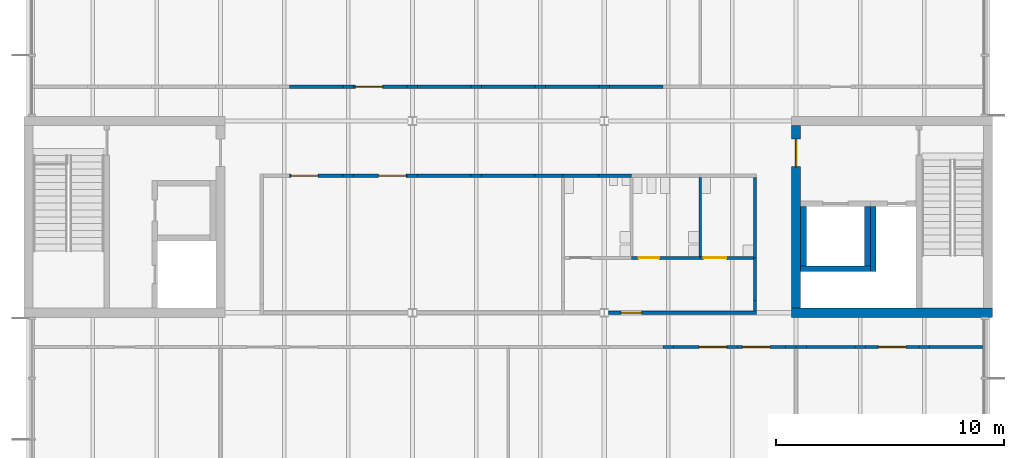
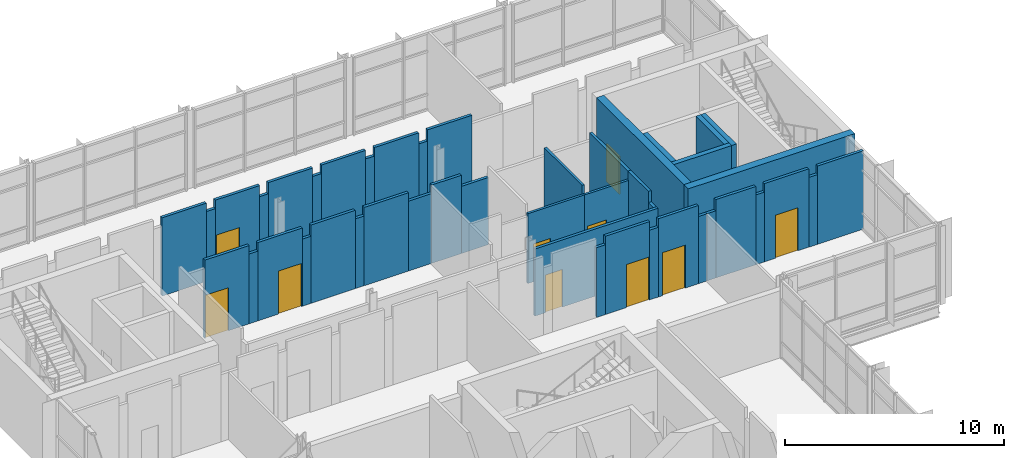
# One storey, part 48 of 72: 45 walls, 10 doors, 10 openings.
"""IFC4 building model written with IfcOpenShell, lengths in metres."""

import ifcopenshell
import ifcopenshell.guid

model = None  # the IFC model being written
_history = None  # IfcOwnerHistory: only IFC2X3 demands one
_inside = {}  # id of a spatial element -> (the spatial element, [elements in it])
_under = {}  # id of a project, library or spatial element -> (it, [spatial elements below it])
_declared = {}  # id of a project -> (the project, [libraries it declares])
_typed = {}  # id of a type object -> (the type object, [elements of that type])
_made_of = {}  # id of a material, layer set ... -> (it, [elements and type objects made of it])


def new_model(schema):
    """Start an empty IFC model of exactly this schema.

    Asked for "IFC4X3", IfcOpenShell would pick the latest addendum, in which some entities
    have other attributes; the version numbers below select the first issue.
    IFC2X3 requires an IfcOwnerHistory on every rooted entity: one is made here for all.
    """
    global model, _history
    if schema == "IFC4X3":
        model = ifcopenshell.file(schema_version=(4, 3, 0, 0))
    else:
        model = ifcopenshell.file(schema=schema)
    _inside.clear()
    _under.clear()
    _declared.clear()
    _typed.clear()
    _made_of.clear()
    _history = None
    if model.schema == "IFC2X3":
        org = make("IfcOrganization", Name="unknown")
        user = make(
            "IfcPersonAndOrganization",
            ThePerson=make("IfcPerson", FamilyName="unknown"),
            TheOrganization=org,
        )
        app = make(
            "IfcApplication",
            ApplicationDeveloper=org,
            Version="unknown",
            ApplicationFullName="unknown",
            ApplicationIdentifier="unknown",
        )
        _history = make(
            "IfcOwnerHistory",
            OwningUser=user,
            OwningApplication=app,
            ChangeAction="ADDED",
            CreationDate=0,
        )
    return model


def make(cls, **values):
    """One entity of the class cls with the attributes given. An attribute that is None is left unset."""
    return model.create_entity(
        cls, **{name: value for name, value in values.items() if value is not None}
    )


def rooted(cls, **values):
    """An entity with a GlobalId (a new one), such as an element, a storey or a relation."""
    return make(cls, GlobalId=ifcopenshell.guid.new(), OwnerHistory=_history, **values)


def si_unit(unit_type, name, prefix=None):
    """IfcSIUnit, for example si_unit("LENGTHUNIT", "METRE", prefix="MILLI")."""
    return make("IfcSIUnit", UnitType=unit_type, Prefix=prefix, Name=name)


def assignment(units):
    """IfcUnitAssignment: the units of a project."""
    return None if units is None else make("IfcUnitAssignment", Units=units)


def point(xyz):
    """IfcCartesianPoint."""
    return None if xyz is None else make("IfcCartesianPoint", Coordinates=xyz)


def direction(xyz):
    """IfcDirection."""
    return None if xyz is None else make("IfcDirection", DirectionRatios=xyz)


def frame(location, z_axis=None, x_axis=None):
    """IfcAxis2Placement3D, a coordinate frame: its origin and axes. An axis left out is left unset."""
    return make(
        "IfcAxis2Placement3D",
        Location=point(location),
        Axis=direction(z_axis),
        RefDirection=direction(x_axis),
    )


def frame_2d(location, x_axis=None):
    """IfcAxis2Placement2D, a coordinate frame in the plane: its origin and x axis."""
    return make(
        "IfcAxis2Placement2D", Location=point(location), RefDirection=direction(x_axis)
    )


def origin():
    """The frame at (0, 0, 0) with its axes left unset."""
    return frame((0.0, 0.0, 0.0))


def place(relative_to, where):
    """IfcLocalPlacement: puts the frame where relative to a parent placement (None: the world)."""
    return make(
        "IfcLocalPlacement", PlacementRelTo=relative_to, RelativePlacement=where
    )


def context(
    kind, dimensions, precision=None, world=None, true_north=None, identifier=None
):
    """IfcGeometricRepresentationContext, for example the 3D "Model" context."""
    return make(
        "IfcGeometricRepresentationContext",
        ContextIdentifier=identifier,
        ContextType=kind,
        CoordinateSpaceDimension=dimensions,
        Precision=precision,
        WorldCoordinateSystem=world,
        TrueNorth=true_north,
    )


def subcontext(parent, identifier, kind, view, scale=None):
    """IfcGeometricRepresentationSubContext, for example "Body" below "Model"."""
    return make(
        "IfcGeometricRepresentationSubContext",
        ContextIdentifier=identifier,
        ContextType=kind,
        ParentContext=parent,
        TargetScale=scale,
        TargetView=view,
    )


def project(units=None, contexts=None):
    """IfcProject with its units and contexts."""
    return rooted(
        "IfcProject",
        Name="project",
        RepresentationContexts=contexts,
        UnitsInContext=assignment(units),
    )


def spatial(cls, under=None, at=None, **own):
    """A site, building, storey or space (cls), placed at a placement, below another one or the project."""
    s = rooted(cls, ObjectPlacement=at, **own)
    if under is not None:
        _under.setdefault(under.id(), (under, []))[1].append(s)
    return s


def profile(cls, at=None, kind="AREA", **sizes):
    """A parametric profile (cls). Its sizes go by their IFC names, for example OverallWidth=200.0."""
    return make(cls, ProfileType=kind, Position=at, **sizes)


def rectangle(**sizes):
    """IfcRectangleProfileDef."""
    return profile("IfcRectangleProfileDef", **sizes)


def extrude(swept, where, along, depth):
    """IfcExtrudedAreaSolid: the profile swept, set in the frame where, extruded along a direction by depth."""
    return make(
        "IfcExtrudedAreaSolid",
        SweptArea=swept,
        Position=where,
        ExtrudedDirection=direction(along),
        Depth=depth,
    )


def shape(context_of_items, identifier, shape_type, items):
    """IfcShapeRepresentation: the items that make up one representation, for example the "Body"."""
    return make(
        "IfcShapeRepresentation",
        ContextOfItems=context_of_items,
        RepresentationIdentifier=identifier,
        RepresentationType=shape_type,
        Items=items,
    )


def material(Name=None, Category=None):
    """IfcMaterial."""
    return make("IfcMaterial", Name=Name, Category=Category)


def layer(
    of_material, thickness, ventilated=None, Name=None, Category=None, Priority=None
):
    """IfcMaterialLayer: one layer of a wall or slab, of a material (None: an air gap)."""
    return make(
        "IfcMaterialLayer",
        Material=of_material,
        LayerThickness=thickness,
        IsVentilated=ventilated,
        Name=Name,
        Category=Category,
        Priority=Priority,
    )


def layer_set(layers, Name=None):
    """IfcMaterialLayerSet."""
    return make("IfcMaterialLayerSet", MaterialLayers=layers, LayerSetName=Name)


def made_of(thing, what):
    """Note that an element or type object is made of a material, layer set ...; save() writes the relation."""
    if what is not None:
        _made_of.setdefault(what.id(), (what, []))[1].append(thing)
    return thing


def type_object(cls, material=None, **own):
    """A type object (cls), such as IfcWallType, which elements share."""
    return made_of(rooted(cls, **own), material)


def element(
    cls,
    number,
    at=None,
    inside=None,
    cuts=None,
    type_object=None,
    material=None,
    context=None,
    identifier="Body",
    shape_type=None,
    held_by="IfcProductDefinitionShape",
    body=None,
    shapes=None,
    **own,
):
    """One element of the class cls, such as IfcWall. Its Tag is "e" and its number.

    at: its placement. inside: the storey or other place that contains it. cuts: it is an
    opening in that element (IfcRelVoidsElement). A single representation is given by context,
    identifier, shape_type and body (its items); several are given by shapes. held_by: the class
    of the entity that holds the representations. save() writes the other relations.
    """
    e = rooted(cls, Tag="e%d" % number, ObjectPlacement=at, **own)
    if body is not None:
        shapes = [shape(context, identifier, shape_type, body)]
    if shapes is not None:
        e.Representation = make(held_by, Representations=shapes)
    if inside is not None:
        _inside.setdefault(inside.id(), (inside, []))[1].append(e)
    if cuts is not None:
        rooted(
            "IfcRelVoidsElement", RelatingBuildingElement=cuts, RelatedOpeningElement=e
        )
    if type_object is not None:
        _typed.setdefault(type_object.id(), (type_object, []))[1].append(e)
    return made_of(e, material)


def fill(opening, filler):
    """IfcRelFillsElement: the door or window that sits in an opening."""
    return rooted(
        "IfcRelFillsElement",
        RelatingOpeningElement=opening,
        RelatedBuildingElement=filler,
    )


def aggregate(whole, parts):
    """IfcRelAggregates: a whole, such as a stair, and the parts it consists of."""
    return rooted("IfcRelAggregates", RelatingObject=whole, RelatedObjects=parts)


def save(model, path):
    """Write the relations noted so far, then the file.

    IfcRelAggregates (storeys below a building ...), IfcRelContainedInSpatialStructure (elements
    in a storey), IfcRelDefinesByType, IfcRelAssociatesMaterial and IfcRelDeclares: one each for
    every whole, place, type object, material and project.
    """
    for whole, parts in _under.values():
        aggregate(whole, parts)
    for where, things in _inside.values():
        rooted(
            "IfcRelContainedInSpatialStructure",
            RelatedElements=things,
            RelatingStructure=where,
        )
    for kind, things in _typed.values():
        rooted("IfcRelDefinesByType", RelatedObjects=things, RelatingType=kind)
    for what, things in _made_of.values():
        rooted("IfcRelAssociatesMaterial", RelatedObjects=things, RelatingMaterial=what)
    for by, libraries in _declared.values():
        rooted("IfcRelDeclares", RelatingContext=by, RelatedDefinitions=libraries)
    model.write(path)


model = new_model("IFC4")

# Units and contexts
model_context = context("Model", 3, precision=1e-05, world=origin(), true_north=direction((0.0, 1.0)))
body_context = subcontext(model_context, "Body", "Model", "MODEL_VIEW")
ifc_project = project(units=[si_unit("LENGTHUNIT", "METRE"), si_unit("AREAUNIT", "SQUARE_METRE"), si_unit("VOLUMEUNIT", "CUBIC_METRE"), si_unit("PLANEANGLEUNIT", "RADIAN"), si_unit("MASSUNIT", "GRAM", prefix="KILO")], contexts=[model_context])

# Site, building, storey
site_placement = place(None, origin())
site = spatial("IfcSite", under=ifc_project, at=site_placement, CompositionType="ELEMENT")
building_placement = place(site_placement, origin())
building = spatial("IfcBuilding", under=site, at=building_placement, Name="Hlaing Beacon Police Headquarters", CompositionType="ELEMENT")
storey_placement = place(building_placement, frame((0.0, 0.0, 14.39990234375)))
storey = spatial("IfcBuildingStorey", under=building, at=storey_placement, Name="L03", CompositionType="ELEMENT", Elevation=14.39990234375)

# Wall
ifc_material_1 = material(Name="Concrete C60/75", Category="concrete")
ifc_layer_1 = layer(ifc_material_1, 0.39990234375)
ifc_layer_set_1 = layer_set([ifc_layer_1], Name="Concrete C60/75")
wall_type_1 = type_object("IfcWallType", Name="Core shear wall 400", PredefinedType="SHEAR", material=ifc_layer_set_1)
wall_1_placement = place(storey_placement, frame((125.800048828125, 75.60009765625, 0.0), z_axis=(0.0, 0.0, 1.0), x_axis=(1.0, 0.0, 0.0)))
element("IfcWall", 1, at=wall_1_placement, inside=storey, type_object=wall_type_1, Name="Core shear wall", PredefinedType="SHEAR", context=body_context, shape_type="SweptSolid", body=[
    extrude(rectangle(XDim=8.800048828125, YDim=0.39990234375, at=frame_2d((4.39990234375, 0.0))), origin(), (0.0, 0.0, 1.0), 4.3701171875),
])

# Wall, opening, door
wall_2_placement = place(storey_placement, frame((126.0, 75.800048828125, 0.0), z_axis=(0.0, 0.0, 1.0), x_axis=(0.0, 1.0, 0.0)))
wall_2 = element("IfcWall", 2, at=wall_2_placement, inside=storey, type_object=wall_type_1, Name="Core shear wall", PredefinedType="SHEAR", context=body_context, shape_type="SweptSolid", body=[
    extrude(rectangle(XDim=8.0, YDim=0.39990234375, at=frame_2d((4.0, 0.0))), origin(), (0.0, 0.0, 1.0), 4.3701171875),
])
opening_1_placement = place(wall_2_placement, frame((6.199951171875, 0.0, 0.0)))
opening_1 = element("IfcOpeningElement", 3, at=opening_1_placement, cuts=wall_2, Name="Opening L03-942", PredefinedType="OPENING", context=body_context, shape_type="SweptSolid", body=[
    extrude(rectangle(XDim=1.199951171875, YDim=2.10009765625, at=frame_2d((0.60009765625, 1.050048828125))), frame((0.0, 0.2099609375, 0.0), z_axis=(0.0, -1.0, 0.0), x_axis=(1.0, 0.0, 0.0)), (0.0, 0.0, 1.0), 0.419921875),
])
ifc_material_2 = material(Name="Steel fire door leaf", Category="steel")
ifc_layer_2 = layer(ifc_material_2, 0.070068359375)
ifc_layer_set_2 = layer_set([ifc_layer_2], Name="Steel fire door leaf")
door_type_1 = type_object("IfcDoorType", Name="Steel fire door FD60S 1200x2100", OperationType="SINGLE_SWING_LEFT", PredefinedType="DOOR", material=ifc_layer_set_2)
door_1_placement = place(opening_1_placement, frame((1.199951171875, 0.0, 0.0), z_axis=(0.0, 0.0, 1.0), x_axis=(-1.0, 0.0, 0.0)))
door_1 = element("IfcDoor", 4, at=door_1_placement, inside=storey, type_object=door_type_1, Name="Door Firefighting Lobby Entry", OperationType="SINGLE_SWING_LEFT", OverallHeight=2.10009765625, OverallWidth=1.199951171875, PredefinedType="DOOR", context=body_context, shape_type="SweptSolid", body=[
    extrude(rectangle(XDim=1.199951171875, YDim=2.10009765625, at=frame_2d((0.599853515625, 1.050048828125))), frame((0.0, 0.034912109375, 0.0), z_axis=(0.0, -1.0, 0.0), x_axis=(1.0, 0.0, 0.0)), (0.0, 0.0, 1.0), 0.070068359375),
])
fill(opening_1, door_1)

ifc_material_3 = material(Name="Gypsum board partition")
ifc_layer_3 = layer(ifc_material_3, 0.14990234375)
ifc_layer_set_3 = layer_set([ifc_layer_3], Name="Gypsum board partition")
wall_type_2 = type_object("IfcWallType", Name="Corridor wall EI 30 150", PredefinedType="PARTITIONING", material=ifc_layer_set_3)
wall_3_placement = place(storey_placement, frame((103.830078125, 81.60009765625, 0.0), z_axis=(0.0, 0.0, 1.0), x_axis=(1.0, 0.0, 0.0)))
wall_3 = element("IfcWall", 5, at=wall_3_placement, inside=storey, type_object=wall_type_2, Name="Corridor wall EI 30 150", PredefinedType="PARTITIONING", context=body_context, shape_type="SweptSolid", body=[
    extrude(rectangle(XDim=2.33984375, YDim=0.14990234375, at=frame_2d((1.169921875, 0.0))), origin(), (0.0, 0.0, 1.0), 4.3701171875),
])
opening_2_placement = place(wall_3_placement, frame((0.044921875, 0.0, 0.0)))
opening_2 = element("IfcOpeningElement", 6, at=opening_2_placement, cuts=wall_3, Name="Opening L03-032", PredefinedType="OPENING", context=body_context, shape_type="SweptSolid", body=[
    extrude(rectangle(XDim=1.199951171875, YDim=2.39990234375, at=frame_2d((0.60009765625, 1.199951171875))), frame((0.0, 0.0849609375, 0.0), z_axis=(0.0, -1.0, 0.0), x_axis=(1.0, 0.0, 0.0)), (0.0, 0.0, 1.0), 0.169921875),
])
ifc_material_4 = material(Name="Hardwood door leaf", Category="wood")
ifc_layer_4 = layer(ifc_material_4, 0.050048828125)
ifc_layer_set_4 = layer_set([ifc_layer_4], Name="Hardwood door leaf")
door_type_2 = type_object("IfcDoorType", Name="Fire public door FD30S 1200x2400", OperationType="SINGLE_SWING_LEFT", PredefinedType="DOOR", material=ifc_layer_set_4)
door_2_placement = place(opening_2_placement, origin())
door_2 = element("IfcDoor", 7, at=door_2_placement, inside=storey, type_object=door_type_2, Name="Door Training Simulation Suite 2", OperationType="SINGLE_SWING_RIGHT", OverallHeight=2.39990234375, OverallWidth=1.199951171875, PredefinedType="DOOR", context=body_context, shape_type="SweptSolid", body=[
    extrude(rectangle(XDim=1.199951171875, YDim=2.39990234375, at=frame_2d((0.60009765625, 1.199951171875))), frame((0.0, 0.02490234375, 0.0), z_axis=(0.0, -1.0, 0.0), x_axis=(1.0, 0.0, 0.0)), (0.0, 0.0, 1.0), 0.050048828125),
])
fill(opening_2, door_2)

# Wall
wall_4_placement = place(storey_placement, frame((106.169921875, 81.60009765625, 0.0), z_axis=(0.0, 0.0, 1.0), x_axis=(1.0, 0.0, 0.0)))
element("IfcWall", 8, at=wall_4_placement, inside=storey, type_object=wall_type_2, Name="Corridor wall EI 30 150", PredefinedType="PARTITIONING", context=body_context, shape_type="SweptSolid", body=[
    extrude(rectangle(XDim=0.4599609375, YDim=0.14990234375, at=frame_2d((0.22998046875, 0.0))), origin(), (0.0, 0.0, 1.0), 3.89501953125),
])

# Wall, opening, door
wall_5_placement = place(storey_placement, frame((106.6298828125, 81.60009765625, 0.0), z_axis=(0.0, 0.0, 1.0), x_axis=(1.0, 0.0, 0.0)))
wall_5 = element("IfcWall", 9, at=wall_5_placement, inside=storey, type_object=wall_type_2, Name="Corridor wall EI 30 150", PredefinedType="PARTITIONING", context=body_context, shape_type="SweptSolid", body=[
    extrude(rectangle(XDim=2.340087890625, YDim=0.14990234375, at=frame_2d((1.169921875, 0.0))), origin(), (0.0, 0.0, 1.0), 4.3701171875),
])
opening_3_placement = place(wall_5_placement, frame((1.094970703125, 0.0, 0.0)))
opening_3 = element("IfcOpeningElement", 10, at=opening_3_placement, cuts=wall_5, Name="Opening L03-033", PredefinedType="OPENING", context=body_context, shape_type="SweptSolid", body=[
    extrude(rectangle(XDim=1.199951171875, YDim=2.39990234375, at=frame_2d((0.60009765625, 1.199951171875))), frame((0.0, 0.0849609375, 0.0), z_axis=(0.0, -1.0, 0.0), x_axis=(1.0, 0.0, 0.0)), (0.0, 0.0, 1.0), 0.169921875),
])
door_3_placement = place(opening_3_placement, origin())
door_3 = element("IfcDoor", 11, at=door_3_placement, inside=storey, type_object=door_type_2, Name="Door Training Simulation Suite 2", OperationType="SINGLE_SWING_LEFT", OverallHeight=2.39990234375, OverallWidth=1.199951171875, PredefinedType="DOOR", context=body_context, shape_type="SweptSolid", body=[
    extrude(rectangle(XDim=1.199951171875, YDim=2.39990234375, at=frame_2d((0.60009765625, 1.199951171875))), frame((0.0, 0.02490234375, 0.0), z_axis=(0.0, -1.0, 0.0), x_axis=(1.0, 0.0, 0.0)), (0.0, 0.0, 1.0), 0.050048828125),
])
fill(opening_3, door_3)

# Walls
wall_6_placement = place(storey_placement, frame((108.969970703125, 81.60009765625, 0.0), z_axis=(0.0, 0.0, 1.0), x_axis=(1.0, 0.0, 0.0)))
element("IfcWall", 12, at=wall_6_placement, inside=storey, type_object=wall_type_2, Name="Corridor wall EI 30 150", PredefinedType="PARTITIONING", context=body_context, shape_type="SweptSolid", body=[
    extrude(rectangle(XDim=0.4599609375, YDim=0.14990234375, at=frame_2d((0.22998046875, 0.0))), origin(), (0.0, 0.0, 1.0), 3.74609375),
])
wall_7_placement = place(storey_placement, frame((109.429931640625, 81.60009765625, 0.0), z_axis=(0.0, 0.0, 1.0), x_axis=(1.0, 0.0, 0.0)))
element("IfcWall", 13, at=wall_7_placement, inside=storey, type_object=wall_type_2, Name="Corridor wall EI 30 150", PredefinedType="PARTITIONING", context=body_context, shape_type="SweptSolid", body=[
    extrude(rectangle(XDim=2.340087890625, YDim=0.14990234375, at=frame_2d((1.169921875, 0.0))), origin(), (0.0, 0.0, 1.0), 4.3701171875),
])
wall_8_placement = place(storey_placement, frame((111.77001953125, 81.60009765625, 0.0), z_axis=(0.0, 0.0, 1.0), x_axis=(1.0, 0.0, 0.0)))
element("IfcWall", 14, at=wall_8_placement, inside=storey, type_object=wall_type_2, Name="Corridor wall EI 30 150", PredefinedType="PARTITIONING", context=body_context, shape_type="SweptSolid", body=[
    extrude(rectangle(XDim=0.4599609375, YDim=0.14990234375, at=frame_2d((0.22998046875, 0.0))), origin(), (0.0, 0.0, 1.0), 3.89501953125),
])
wall_9_placement = place(storey_placement, frame((112.22998046875, 81.60009765625, 0.0), z_axis=(0.0, 0.0, 1.0), x_axis=(1.0, 0.0, 0.0)))
element("IfcWall", 15, at=wall_9_placement, inside=storey, type_object=wall_type_2, Name="Corridor wall EI 30 150", PredefinedType="PARTITIONING", context=body_context, shape_type="SweptSolid", body=[
    extrude(rectangle(XDim=2.340087890625, YDim=0.14990234375, at=frame_2d((1.169921875, 0.0))), origin(), (0.0, 0.0, 1.0), 4.3701171875),
])
wall_10_placement = place(storey_placement, frame((114.570068359375, 81.60009765625, 0.0), z_axis=(0.0, 0.0, 1.0), x_axis=(1.0, 0.0, 0.0)))
element("IfcWall", 16, at=wall_10_placement, inside=storey, type_object=wall_type_2, Name="Corridor wall EI 30 150", PredefinedType="PARTITIONING", context=body_context, shape_type="SweptSolid", body=[
    extrude(rectangle(XDim=1.22998046875, YDim=0.14990234375, at=frame_2d((0.614990234375, 0.0))), origin(), (0.0, 0.0, 1.0), 3.89501953125),
])
wall_11_placement = place(storey_placement, frame((124.199951171875, 78.0, 0.0), z_axis=(0.0, 0.0, 1.0), x_axis=(0.0, 1.0, 0.0)))
element("IfcWall", 17, at=wall_11_placement, inside=storey, type_object=wall_type_2, Name="Corridor wall EI 30 150", PredefinedType="PARTITIONING", context=body_context, shape_type="SweptSolid", body=[
    extrude(rectangle(XDim=3.52490234375, YDim=0.14990234375, at=frame_2d((1.762451171875, 0.0))), origin(), (0.0, 0.0, 1.0), 4.3701171875),
])

# Wall, opening, door
wall_12_placement = place(storey_placement, frame((117.784912109375, 75.60009765625, 0.0), z_axis=(0.0, 0.0, 1.0), x_axis=(1.0, 0.0, 0.0)))
wall_12 = element("IfcWall", 18, at=wall_12_placement, inside=storey, type_object=wall_type_2, Name="Corridor wall EI 30 150", PredefinedType="PARTITIONING", context=body_context, shape_type="SweptSolid", body=[
    extrude(rectangle(XDim=6.489990234375, YDim=0.14990234375, at=frame_2d((3.2451171875, 0.0))), origin(), (0.0, 0.0, 1.0), 3.74609375),
])
opening_4_placement = place(wall_12_placement, frame((0.550048828125, 0.0, 0.0)))
opening_4 = element("IfcOpeningElement", 19, at=opening_4_placement, cuts=wall_12, Name="Opening L03-036", PredefinedType="OPENING", context=body_context, shape_type="SweptSolid", body=[
    extrude(rectangle(XDim=0.89990234375, YDim=2.10009765625, at=frame_2d((0.449951171875, 1.050048828125))), frame((0.0, 0.0849609375, 0.0), z_axis=(0.0, -1.0, 0.0), x_axis=(1.0, 0.0, 0.0)), (0.0, 0.0, 1.0), 0.169921875),
])
ifc_material_5 = material(Name="Hardwood door leaf", Category="wood")
ifc_layer_5 = layer(ifc_material_5, 0.050048828125)
ifc_layer_set_5 = layer_set([ifc_layer_5], Name="Hardwood door leaf")
door_type_3 = type_object("IfcDoorType", Name="Fire door FD30S 900x2100", OperationType="SINGLE_SWING_LEFT", PredefinedType="DOOR", material=ifc_layer_set_5)
door_4_placement = place(opening_4_placement, origin())
door_4 = element("IfcDoor", 20, at=door_4_placement, inside=storey, type_object=door_type_3, Name="Door WC Lobby", OperationType="SINGLE_SWING_RIGHT", OverallHeight=2.10009765625, OverallWidth=0.89990234375, PredefinedType="DOOR", context=body_context, shape_type="SweptSolid", body=[
    extrude(rectangle(XDim=0.89990234375, YDim=2.10009765625, at=frame_2d((0.449951171875, 1.050048828125))), frame((0.0, 0.02490234375, 0.0), z_axis=(0.0, -1.0, 0.0), x_axis=(1.0, 0.0, 0.0)), (0.0, 0.0, 1.0), 0.050048828125),
])
fill(opening_4, door_4)

# Walls
wall_13_placement = place(storey_placement, frame((124.199951171875, 75.675048828125, 0.0), z_axis=(0.0, 0.0, 1.0), x_axis=(0.0, 1.0, 0.0)))
element("IfcWall", 21, at=wall_13_placement, inside=storey, type_object=wall_type_2, Name="Corridor wall EI 30 150", PredefinedType="PARTITIONING", context=body_context, shape_type="SweptSolid", body=[
    extrude(rectangle(XDim=0.4599609375, YDim=0.14990234375, at=frame_2d((0.22998046875, 0.0))), origin(), (0.0, 0.0, 1.0), 3.74609375),
])
wall_14_placement = place(storey_placement, frame((124.199951171875, 76.135009765625, 0.0), z_axis=(0.0, 0.0, 1.0), x_axis=(0.0, 1.0, 0.0)))
element("IfcWall", 22, at=wall_14_placement, inside=storey, type_object=wall_type_2, Name="Corridor wall EI 30 150", PredefinedType="PARTITIONING", context=body_context, shape_type="SweptSolid", body=[
    extrude(rectangle(XDim=1.864990234375, YDim=0.14990234375, at=frame_2d((0.9326171875, 0.0))), origin(), (0.0, 0.0, 1.0), 4.3701171875),
])
wall_15_placement = place(storey_placement, frame((115.800048828125, 81.60009765625, 0.0), z_axis=(0.0, 0.0, 1.0), x_axis=(1.0, 0.0, 0.0)))
element("IfcWall", 23, at=wall_15_placement, inside=storey, type_object=wall_type_2, Name="Corridor wall EI 30 150", PredefinedType="PARTITIONING", context=body_context, shape_type="SweptSolid", body=[
    extrude(rectangle(XDim=1.570068359375, YDim=0.14990234375, at=frame_2d((0.78515625, 0.0))), origin(), (0.0, 0.0, 1.0), 4.3701171875),
])
wall_16_placement = place(storey_placement, frame((117.3701171875, 81.60009765625, 0.0), z_axis=(0.0, 0.0, 1.0), x_axis=(1.0, 0.0, 0.0)))
element("IfcWall", 24, at=wall_16_placement, inside=storey, type_object=wall_type_2, Name="Corridor wall EI 30 150", PredefinedType="PARTITIONING", context=body_context, shape_type="SweptSolid", body=[
    extrude(rectangle(XDim=1.429931640625, YDim=0.14990234375, at=frame_2d((0.71484375, 0.0))), origin(), (0.0, 0.0, 1.0), 3.74609375),
])
wall_17_placement = place(storey_placement, frame((103.830078125, 85.5, 0.0), z_axis=(0.0, 0.0, 1.0), x_axis=(1.0, 0.0, 0.0)))
element("IfcWall", 25, at=wall_17_placement, inside=storey, type_object=wall_type_2, Name="Corridor wall EI 30 150", PredefinedType="PARTITIONING", context=body_context, shape_type="SweptSolid", body=[
    extrude(rectangle(XDim=2.33984375, YDim=0.14990234375, at=frame_2d((1.169921875, 0.0))), origin(), (0.0, 0.0, 1.0), 4.3701171875),
])
wall_18_placement = place(storey_placement, frame((106.169921875, 85.5, 0.0), z_axis=(0.0, 0.0, 1.0), x_axis=(1.0, 0.0, 0.0)))
element("IfcWall", 26, at=wall_18_placement, inside=storey, type_object=wall_type_2, Name="Corridor wall EI 30 150", PredefinedType="PARTITIONING", context=body_context, shape_type="SweptSolid", body=[
    extrude(rectangle(XDim=0.4599609375, YDim=0.14990234375, at=frame_2d((0.22998046875, 0.0))), origin(), (0.0, 0.0, 1.0), 3.89501953125),
])

# Wall, opening, door
wall_19_placement = place(storey_placement, frame((106.6298828125, 85.5, 0.0), z_axis=(0.0, 0.0, 1.0), x_axis=(1.0, 0.0, 0.0)))
wall_19 = element("IfcWall", 27, at=wall_19_placement, inside=storey, type_object=wall_type_2, Name="Corridor wall EI 30 150", PredefinedType="PARTITIONING", context=body_context, shape_type="SweptSolid", body=[
    extrude(rectangle(XDim=2.340087890625, YDim=0.14990234375, at=frame_2d((1.169921875, 0.0))), origin(), (0.0, 0.0, 1.0), 4.3701171875),
])
opening_5_placement = place(wall_19_placement, frame((0.070068359375, 0.0, 0.0)))
opening_5 = element("IfcOpeningElement", 28, at=opening_5_placement, cuts=wall_19, Name="Opening L03-038", PredefinedType="OPENING", context=body_context, shape_type="SweptSolid", body=[
    extrude(rectangle(XDim=1.199951171875, YDim=2.39990234375, at=frame_2d((0.60009765625, 1.199951171875))), frame((0.0, 0.0849609375, 0.0), z_axis=(0.0, -1.0, 0.0), x_axis=(1.0, 0.0, 0.0)), (0.0, 0.0, 1.0), 0.169921875),
])
door_5_placement = place(opening_5_placement, origin())
door_5 = element("IfcDoor", 29, at=door_5_placement, inside=storey, type_object=door_type_2, Name="Door Library and Learning Centre", OperationType="SINGLE_SWING_LEFT", OverallHeight=2.39990234375, OverallWidth=1.199951171875, PredefinedType="DOOR", context=body_context, shape_type="SweptSolid", body=[
    extrude(rectangle(XDim=1.199951171875, YDim=2.39990234375, at=frame_2d((0.60009765625, 1.199951171875))), frame((0.0, 0.02490234375, 0.0), z_axis=(0.0, -1.0, 0.0), x_axis=(1.0, 0.0, 0.0)), (0.0, 0.0, 1.0), 0.050048828125),
])
fill(opening_5, door_5)

# Walls
wall_20_placement = place(storey_placement, frame((108.969970703125, 85.5, 0.0), z_axis=(0.0, 0.0, 1.0), x_axis=(1.0, 0.0, 0.0)))
element("IfcWall", 30, at=wall_20_placement, inside=storey, type_object=wall_type_2, Name="Corridor wall EI 30 150", PredefinedType="PARTITIONING", context=body_context, shape_type="SweptSolid", body=[
    extrude(rectangle(XDim=0.4599609375, YDim=0.14990234375, at=frame_2d((0.22998046875, 0.0))), origin(), (0.0, 0.0, 1.0), 3.74609375),
])
wall_21_placement = place(storey_placement, frame((109.429931640625, 85.5, 0.0), z_axis=(0.0, 0.0, 1.0), x_axis=(1.0, 0.0, 0.0)))
element("IfcWall", 31, at=wall_21_placement, inside=storey, type_object=wall_type_2, Name="Corridor wall EI 30 150", PredefinedType="PARTITIONING", context=body_context, shape_type="SweptSolid", body=[
    extrude(rectangle(XDim=2.340087890625, YDim=0.14990234375, at=frame_2d((1.169921875, 0.0))), origin(), (0.0, 0.0, 1.0), 4.3701171875),
])
wall_22_placement = place(storey_placement, frame((111.77001953125, 85.5, 0.0), z_axis=(0.0, 0.0, 1.0), x_axis=(1.0, 0.0, 0.0)))
element("IfcWall", 32, at=wall_22_placement, inside=storey, type_object=wall_type_2, Name="Corridor wall EI 30 150", PredefinedType="PARTITIONING", context=body_context, shape_type="SweptSolid", body=[
    extrude(rectangle(XDim=0.4599609375, YDim=0.14990234375, at=frame_2d((0.22998046875, 0.0))), origin(), (0.0, 0.0, 1.0), 3.89501953125),
])
wall_23_placement = place(storey_placement, frame((112.22998046875, 85.5, 0.0), z_axis=(0.0, 0.0, 1.0), x_axis=(1.0, 0.0, 0.0)))
element("IfcWall", 33, at=wall_23_placement, inside=storey, type_object=wall_type_2, Name="Corridor wall EI 30 150", PredefinedType="PARTITIONING", context=body_context, shape_type="SweptSolid", body=[
    extrude(rectangle(XDim=2.340087890625, YDim=0.14990234375, at=frame_2d((1.169921875, 0.0))), origin(), (0.0, 0.0, 1.0), 4.3701171875),
])
wall_24_placement = place(storey_placement, frame((114.570068359375, 85.5, 0.0), z_axis=(0.0, 0.0, 1.0), x_axis=(1.0, 0.0, 0.0)))
element("IfcWall", 34, at=wall_24_placement, inside=storey, type_object=wall_type_2, Name="Corridor wall EI 30 150", PredefinedType="PARTITIONING", context=body_context, shape_type="SweptSolid", body=[
    extrude(rectangle(XDim=0.4599609375, YDim=0.14990234375, at=frame_2d((0.22998046875, 0.0))), origin(), (0.0, 0.0, 1.0), 3.89501953125),
])
wall_25_placement = place(storey_placement, frame((115.030029296875, 85.5, 0.0), z_axis=(0.0, 0.0, 1.0), x_axis=(1.0, 0.0, 0.0)))
element("IfcWall", 35, at=wall_25_placement, inside=storey, type_object=wall_type_2, Name="Corridor wall EI 30 150", PredefinedType="PARTITIONING", context=body_context, shape_type="SweptSolid", body=[
    extrude(rectangle(XDim=2.340087890625, YDim=0.14990234375, at=frame_2d((1.169921875, 0.0))), origin(), (0.0, 0.0, 1.0), 4.3701171875),
])
wall_26_placement = place(storey_placement, frame((117.3701171875, 85.5, 0.0), z_axis=(0.0, 0.0, 1.0), x_axis=(1.0, 0.0, 0.0)))
element("IfcWall", 36, at=wall_26_placement, inside=storey, type_object=wall_type_2, Name="Corridor wall EI 30 150", PredefinedType="PARTITIONING", context=body_context, shape_type="SweptSolid", body=[
    extrude(rectangle(XDim=0.4599609375, YDim=0.14990234375, at=frame_2d((0.22998046875, 0.0))), origin(), (0.0, 0.0, 1.0), 3.74609375),
])
wall_27_placement = place(storey_placement, frame((117.830078125, 85.5, 0.0), z_axis=(0.0, 0.0, 1.0), x_axis=(1.0, 0.0, 0.0)))
element("IfcWall", 37, at=wall_27_placement, inside=storey, type_object=wall_type_2, Name="Corridor wall EI 30 150", PredefinedType="PARTITIONING", context=body_context, shape_type="SweptSolid", body=[
    extrude(rectangle(XDim=2.33984375, YDim=0.14990234375, at=frame_2d((1.169921875, 0.0))), origin(), (0.0, 0.0, 1.0), 4.3701171875),
])
wall_28_placement = place(storey_placement, frame((120.169921875, 74.10009765625, 0.0), z_axis=(0.0, 0.0, 1.0), x_axis=(1.0, 0.0, 0.0)))
element("IfcWall", 38, at=wall_28_placement, inside=storey, type_object=wall_type_2, Name="Corridor wall EI 30 150", PredefinedType="PARTITIONING", context=body_context, shape_type="SweptSolid", body=[
    extrude(rectangle(XDim=0.4599609375, YDim=0.14990234375, at=frame_2d((0.22998046875, 0.0))), origin(), (0.0, 0.0, 1.0), 3.89501953125),
])

# Wall, opening, door
wall_29_placement = place(storey_placement, frame((120.6298828125, 74.10009765625, 0.0), z_axis=(0.0, 0.0, 1.0), x_axis=(1.0, 0.0, 0.0)))
wall_29 = element("IfcWall", 39, at=wall_29_placement, inside=storey, type_object=wall_type_2, Name="Corridor wall EI 30 150", PredefinedType="PARTITIONING", context=body_context, shape_type="SweptSolid", body=[
    extrude(rectangle(XDim=2.340087890625, YDim=0.14990234375, at=frame_2d((1.169921875, 0.0))), origin(), (0.0, 0.0, 1.0), 4.3701171875),
])
opening_6_placement = place(wall_29_placement, frame((1.1201171875, 0.0, 0.0)))
opening_6 = element("IfcOpeningElement", 40, at=opening_6_placement, cuts=wall_29, Name="Opening L03-043", PredefinedType="OPENING", context=body_context, shape_type="SweptSolid", body=[
    extrude(rectangle(XDim=1.199951171875, YDim=2.39990234375, at=frame_2d((0.60009765625, 1.199951171875))), frame((0.0, 0.0849609375, 0.0), z_axis=(0.0, -1.0, 0.0), x_axis=(1.0, 0.0, 0.0)), (0.0, 0.0, 1.0), 0.169921875),
])
door_6_placement = place(opening_6_placement, origin())
door_6 = element("IfcDoor", 41, at=door_6_placement, inside=storey, type_object=door_type_2, Name="Door Scenario Training Room 2", OperationType="SINGLE_SWING_LEFT", OverallHeight=2.39990234375, OverallWidth=1.199951171875, PredefinedType="DOOR", context=body_context, shape_type="SweptSolid", body=[
    extrude(rectangle(XDim=1.199951171875, YDim=2.39990234375, at=frame_2d((0.60009765625, 1.199951171875))), frame((0.0, 0.02490234375, 0.0), z_axis=(0.0, -1.0, 0.0), x_axis=(1.0, 0.0, 0.0)), (0.0, 0.0, 1.0), 0.050048828125),
])
fill(opening_6, door_6)

# Wall
wall_30_placement = place(storey_placement, frame((122.969970703125, 74.10009765625, 0.0), z_axis=(0.0, 0.0, 1.0), x_axis=(1.0, 0.0, 0.0)))
element("IfcWall", 42, at=wall_30_placement, inside=storey, type_object=wall_type_2, Name="Corridor wall EI 30 150", PredefinedType="PARTITIONING", context=body_context, shape_type="SweptSolid", body=[
    extrude(rectangle(XDim=0.4599609375, YDim=0.14990234375, at=frame_2d((0.22998046875, 0.0))), origin(), (0.0, 0.0, 1.0), 3.89501953125),
])

# Wall, opening, door
wall_31_placement = place(storey_placement, frame((123.429931640625, 74.10009765625, 0.0), z_axis=(0.0, 0.0, 1.0), x_axis=(1.0, 0.0, 0.0)))
wall_31 = element("IfcWall", 43, at=wall_31_placement, inside=storey, type_object=wall_type_2, Name="Corridor wall EI 30 150", PredefinedType="PARTITIONING", context=body_context, shape_type="SweptSolid", body=[
    extrude(rectangle(XDim=2.110107421875, YDim=0.14990234375, at=frame_2d((1.05517578125, 0.0))), origin(), (0.0, 0.0, 1.0), 4.3701171875),
])
opening_7_placement = place(wall_31_placement, frame((0.219970703125, 0.0, 0.0)))
opening_7 = element("IfcOpeningElement", 44, at=opening_7_placement, cuts=wall_31, Name="Opening L03-044", PredefinedType="OPENING", context=body_context, shape_type="SweptSolid", body=[
    extrude(rectangle(XDim=1.199951171875, YDim=2.39990234375, at=frame_2d((0.60009765625, 1.199951171875))), frame((0.0, 0.0849609375, 0.0), z_axis=(0.0, -1.0, 0.0), x_axis=(1.0, 0.0, 0.0)), (0.0, 0.0, 1.0), 0.169921875),
])
door_7_placement = place(opening_7_placement, origin())
door_7 = element("IfcDoor", 45, at=door_7_placement, inside=storey, type_object=door_type_2, Name="Door Scenario Training Room 2", OperationType="SINGLE_SWING_RIGHT", OverallHeight=2.39990234375, OverallWidth=1.199951171875, PredefinedType="DOOR", context=body_context, shape_type="SweptSolid", body=[
    extrude(rectangle(XDim=1.199951171875, YDim=2.39990234375, at=frame_2d((0.60009765625, 1.199951171875))), frame((0.0, 0.02490234375, 0.0), z_axis=(0.0, -1.0, 0.0), x_axis=(1.0, 0.0, 0.0)), (0.0, 0.0, 1.0), 0.050048828125),
])
fill(opening_7, door_7)

# Walls
for number, where, z_axis, x_axis, name in (
    (46, (125.5400390625, 74.10009765625, 0.0), (0.0, 0.0, 1.0), (1.0, 0.0, 0.0), "Corridor wall EI 30 150"),
    (47, (126.0, 74.10009765625, 0.0), (0.0, 0.0, 1.0), (1.0, 0.0, 0.0), "Corridor wall EI 30 150"),
):
    element("IfcWall", number, at=place(storey_placement, frame(where, z_axis=z_axis, x_axis=x_axis)), inside=storey, type_object=wall_type_2, Name=name, PredefinedType="PARTITIONING", context=body_context, shape_type="SweptSolid", body=[
        extrude(rectangle(XDim=0.4599609375, YDim=0.14990234375, at=frame_2d((0.22998046875, 0.0))), origin(), (0.0, 0.0, 1.0), 3.74609375),
    ])
wall_32_placement = place(storey_placement, frame((126.4599609375, 74.10009765625, 0.0), z_axis=(0.0, 0.0, 1.0), x_axis=(1.0, 0.0, 0.0)))
element("IfcWall", 48, at=wall_32_placement, inside=storey, type_object=wall_type_2, Name="Corridor wall EI 30 150", PredefinedType="PARTITIONING", context=body_context, shape_type="SweptSolid", body=[
    extrude(rectangle(XDim=2.110107421875, YDim=0.14990234375, at=frame_2d((1.05517578125, 0.0))), origin(), (0.0, 0.0, 1.0), 4.3701171875),
])
wall_33_placement = place(storey_placement, frame((128.570068359375, 74.10009765625, 0.0), z_axis=(0.0, 0.0, 1.0), x_axis=(1.0, 0.0, 0.0)))
element("IfcWall", 49, at=wall_33_placement, inside=storey, type_object=wall_type_2, Name="Corridor wall EI 30 150", PredefinedType="PARTITIONING", context=body_context, shape_type="SweptSolid", body=[
    extrude(rectangle(XDim=0.4599609375, YDim=0.14990234375, at=frame_2d((0.22998046875, 0.0))), origin(), (0.0, 0.0, 1.0), 3.89501953125),
])

# Wall, opening, door
wall_34_placement = place(storey_placement, frame((129.030029296875, 74.10009765625, 0.0), z_axis=(0.0, 0.0, 1.0), x_axis=(1.0, 0.0, 0.0)))
wall_34 = element("IfcWall", 50, at=wall_34_placement, inside=storey, type_object=wall_type_2, Name="Corridor wall EI 30 150", PredefinedType="PARTITIONING", context=body_context, shape_type="SweptSolid", body=[
    extrude(rectangle(XDim=2.340087890625, YDim=0.14990234375, at=frame_2d((1.169921875, 0.0))), origin(), (0.0, 0.0, 1.0), 4.3701171875),
])
opening_8_placement = place(wall_34_placement, frame((0.570068359375, 0.0, 0.0)))
opening_8 = element("IfcOpeningElement", 51, at=opening_8_placement, cuts=wall_34, Name="Opening L03-045", PredefinedType="OPENING", context=body_context, shape_type="SweptSolid", body=[
    extrude(rectangle(XDim=1.199951171875, YDim=2.39990234375, at=frame_2d((0.60009765625, 1.199951171875))), frame((0.0, 0.0849609375, 0.0), z_axis=(0.0, -1.0, 0.0), x_axis=(1.0, 0.0, 0.0)), (0.0, 0.0, 1.0), 0.169921875),
])
door_8_placement = place(opening_8_placement, frame((1.199951171875, 0.0, 0.0), z_axis=(0.0, 0.0, 1.0), x_axis=(-1.0, 0.0, 0.0)))
door_8 = element("IfcDoor", 52, at=door_8_placement, inside=storey, type_object=door_type_2, Name="Door Classroom 6", OperationType="SINGLE_SWING_RIGHT", OverallHeight=2.39990234375, OverallWidth=1.199951171875, PredefinedType="DOOR", context=body_context, shape_type="SweptSolid", body=[
    extrude(rectangle(XDim=1.199951171875, YDim=2.39990234375, at=frame_2d((0.599853515625, 1.199951171875))), frame((0.0, 0.025146484375, 0.0), z_axis=(0.0, -1.0, 0.0), x_axis=(1.0, 0.0, 0.0)), (0.0, 0.0, 1.0), 0.050048828125),
])
fill(opening_8, door_8)

# Walls
wall_35_placement = place(storey_placement, frame((131.3701171875, 74.10009765625, 0.0), z_axis=(0.0, 0.0, 1.0), x_axis=(1.0, 0.0, 0.0)))
element("IfcWall", 53, at=wall_35_placement, inside=storey, type_object=wall_type_2, Name="Corridor wall EI 30 150", PredefinedType="PARTITIONING", context=body_context, shape_type="SweptSolid", body=[
    extrude(rectangle(XDim=0.4599609375, YDim=0.14990234375, at=frame_2d((0.22998046875, 0.0))), origin(), (0.0, 0.0, 1.0), 3.89501953125),
])
wall_36_placement = place(storey_placement, frame((131.830078125, 74.10009765625, 0.0), z_axis=(0.0, 0.0, 1.0), x_axis=(1.0, 0.0, 0.0)))
element("IfcWall", 54, at=wall_36_placement, inside=storey, type_object=wall_type_2, Name="Corridor wall EI 30 150", PredefinedType="PARTITIONING", context=body_context, shape_type="SweptSolid", body=[
    extrude(rectangle(XDim=2.419921875, YDim=0.14990234375, at=frame_2d((1.2099609375, 0.0))), origin(), (0.0, 0.0, 1.0), 4.3701171875),
])
ifc_material_6 = material(Name="Gypsum board partition")
ifc_layer_6 = layer(ifc_material_6, 0.125)
ifc_layer_set_6 = layer_set([ifc_layer_6], Name="Gypsum board partition")
wall_type_3 = type_object("IfcWallType", Name="Partition 125", PredefinedType="PARTITIONING", material=ifc_layer_set_6)
wall_37_placement = place(storey_placement, frame((121.800048828125, 78.06201171875, 0.0), z_axis=(0.0, 0.0, 1.0), x_axis=(0.0, 1.0, 0.0)))
element("IfcWall", 55, at=wall_37_placement, inside=storey, type_object=wall_type_3, Name="Partition 125", PredefinedType="PARTITIONING", context=body_context, shape_type="SweptSolid", body=[
    extrude(rectangle(XDim=3.462890625, YDim=0.125, at=frame_2d((1.7314453125, 0.0))), origin(), (0.0, 0.0, 1.0), 4.3701171875),
])

# Wall, opening, door
wall_38_placement = place(storey_placement, frame((121.800048828125, 78.0, 0.0), z_axis=(0.0, 0.0, 1.0), x_axis=(1.0, 0.0, 0.0)))
wall_38 = element("IfcWall", 56, at=wall_38_placement, inside=storey, type_object=wall_type_3, Name="Partition 125", PredefinedType="PARTITIONING", context=body_context, shape_type="SweptSolid", body=[
    extrude(rectangle(XDim=2.324951171875, YDim=0.125, at=frame_2d((1.16259765625, 0.0))), origin(), (0.0, 0.0, 1.0), 3.89501953125),
])
opening_9_placement = place(wall_38_placement, frame((0.14990234375, 0.0, 0.0)))
opening_9 = element("IfcOpeningElement", 57, at=opening_9_placement, cuts=wall_38, Name="Opening L03-034", PredefinedType="OPENING", context=body_context, shape_type="SweptSolid", body=[
    extrude(rectangle(XDim=1.0, YDim=2.10009765625, at=frame_2d((0.5, 1.050048828125))), frame((0.0, 0.072509765625, 0.0), z_axis=(0.0, -1.0, 0.0), x_axis=(1.0, 0.0, 0.0)), (0.0, 0.0, 1.0), 0.14501953125),
])
ifc_material_7 = material(Name="Hardwood door leaf", Category="wood")
ifc_layer_7 = layer(ifc_material_7, 0.0400390625)
ifc_layer_set_7 = layer_set([ifc_layer_7], Name="Hardwood door leaf")
door_type_4 = type_object("IfcDoorType", Name="Door 1000x2100", OperationType="SINGLE_SWING_LEFT", PredefinedType="DOOR", material=ifc_layer_set_7)
door_9_placement = place(opening_9_placement, origin())
door_9 = element("IfcDoor", 58, at=door_9_placement, inside=storey, type_object=door_type_4, Name="Door Accessible WC", OperationType="SINGLE_SWING_RIGHT", OverallHeight=2.10009765625, OverallWidth=1.0, PredefinedType="DOOR", context=body_context, shape_type="SweptSolid", body=[
    extrude(rectangle(XDim=1.0, YDim=2.10009765625, at=frame_2d((0.5, 1.050048828125))), frame((0.0, 0.02001953125, 0.0), z_axis=(0.0, -1.0, 0.0), x_axis=(1.0, 0.0, 0.0)), (0.0, 0.0, 1.0), 0.0400390625),
])
fill(opening_9, door_9)

wall_39_placement = place(storey_placement, frame((118.800048828125, 78.0, 0.0), z_axis=(0.0, 0.0, 1.0), x_axis=(1.0, 0.0, 0.0)))
wall_39 = element("IfcWall", 59, at=wall_39_placement, inside=storey, type_object=wall_type_3, Name="Partition 125", PredefinedType="PARTITIONING", context=body_context, shape_type="SweptSolid", body=[
    extrude(rectangle(XDim=3.0, YDim=0.125, at=frame_2d((1.5, 0.0))), origin(), (0.0, 0.0, 1.0), 3.89501953125),
])
opening_10_placement = place(wall_39_placement, frame((0.300048828125, 0.0, 0.0)))
opening_10 = element("IfcOpeningElement", 60, at=opening_10_placement, cuts=wall_39, Name="Opening L03-035", PredefinedType="OPENING", context=body_context, shape_type="SweptSolid", body=[
    extrude(rectangle(XDim=0.89990234375, YDim=2.10009765625, at=frame_2d((0.449951171875, 1.050048828125))), frame((0.0, 0.072509765625, 0.0), z_axis=(0.0, -1.0, 0.0), x_axis=(1.0, 0.0, 0.0)), (0.0, 0.0, 1.0), 0.14501953125),
])
ifc_material_8 = material(Name="Hardwood door leaf", Category="wood")
ifc_layer_8 = layer(ifc_material_8, 0.0400390625)
ifc_layer_set_8 = layer_set([ifc_layer_8], Name="Hardwood door leaf")
door_type_5 = type_object("IfcDoorType", Name="Door 900x2100", OperationType="SINGLE_SWING_LEFT", PredefinedType="DOOR", material=ifc_layer_set_8)
door_10_placement = place(opening_10_placement, origin())
door_10 = element("IfcDoor", 61, at=door_10_placement, inside=storey, type_object=door_type_5, Name="Door Female WC", OperationType="SINGLE_SWING_RIGHT", OverallHeight=2.10009765625, OverallWidth=0.89990234375, PredefinedType="DOOR", context=body_context, shape_type="SweptSolid", body=[
    extrude(rectangle(XDim=0.89990234375, YDim=2.10009765625, at=frame_2d((0.449951171875, 1.050048828125))), frame((0.0, 0.02001953125, 0.0), z_axis=(0.0, -1.0, 0.0), x_axis=(1.0, 0.0, 0.0)), (0.0, 0.0, 1.0), 0.0400390625),
])
fill(opening_10, door_10)

# Walls
ifc_material_9 = material(Name="Concrete C40/50", Category="concrete")
ifc_layer_9 = layer(ifc_material_9, 0.25)
ifc_layer_set_9 = layer_set([ifc_layer_9], Name="Concrete C40/50")
wall_type_4 = type_object("IfcWallType", Name="Shaft wall 250", PredefinedType="SOLIDWALL", material=ifc_layer_set_9)
wall_40_placement = place(storey_placement, frame((129.375, 80.25, 0.0), z_axis=(0.0, 0.0, 1.0), x_axis=(0.0, -1.0, 0.0)))
element("IfcWall", 62, at=wall_40_placement, inside=storey, type_object=wall_type_4, Name="Riser wall", PredefinedType="SOLIDWALL", context=body_context, shape_type="SweptSolid", body=[
    extrude(rectangle(XDim=2.85009765625, YDim=0.25, at=frame_2d((1.425048828125, 0.0))), origin(), (0.0, 0.0, 1.0), 4.3701171875),
])
wall_41_placement = place(storey_placement, frame((129.125, 77.64990234375, 0.0), z_axis=(0.0, 0.0, 1.0), x_axis=(0.0, 1.0, 0.0)))
element("IfcWall", 63, at=wall_41_placement, inside=storey, type_object=wall_type_4, Name="Lift shaft wall FL3", PredefinedType="SOLIDWALL", context=body_context, shape_type="SweptSolid", body=[
    extrude(rectangle(XDim=2.60009765625, YDim=0.25, at=frame_2d((1.300048828125, 0.0))), origin(), (0.0, 0.0, 1.0), 4.3701171875),
])
wall_42_placement = place(storey_placement, frame((126.199951171875, 77.52490234375, 0.0), z_axis=(0.0, 0.0, 1.0), x_axis=(1.0, 0.0, 0.0)))
element("IfcWall", 64, at=wall_42_placement, inside=storey, type_object=wall_type_4, Name="Lift shaft wall FL3", PredefinedType="SOLIDWALL", context=body_context, shape_type="SweptSolid", body=[
    extrude(rectangle(XDim=3.050048828125, YDim=0.25, at=frame_2d((1.52490234375, 0.0))), origin(), (0.0, 0.0, 1.0), 4.3701171875),
])
wall_43_placement = place(storey_placement, frame((126.324951171875, 77.64990234375, 0.0), z_axis=(0.0, 0.0, 1.0), x_axis=(0.0, 1.0, 0.0)))
element("IfcWall", 65, at=wall_43_placement, inside=storey, type_object=wall_type_4, Name="Lift shaft wall FL3", PredefinedType="SOLIDWALL", context=body_context, shape_type="SweptSolid", body=[
    extrude(rectangle(XDim=2.60009765625, YDim=0.25, at=frame_2d((1.300048828125, 0.0))), origin(), (0.0, 0.0, 1.0), 4.3701171875),
])

save(model, "model.ifc")
